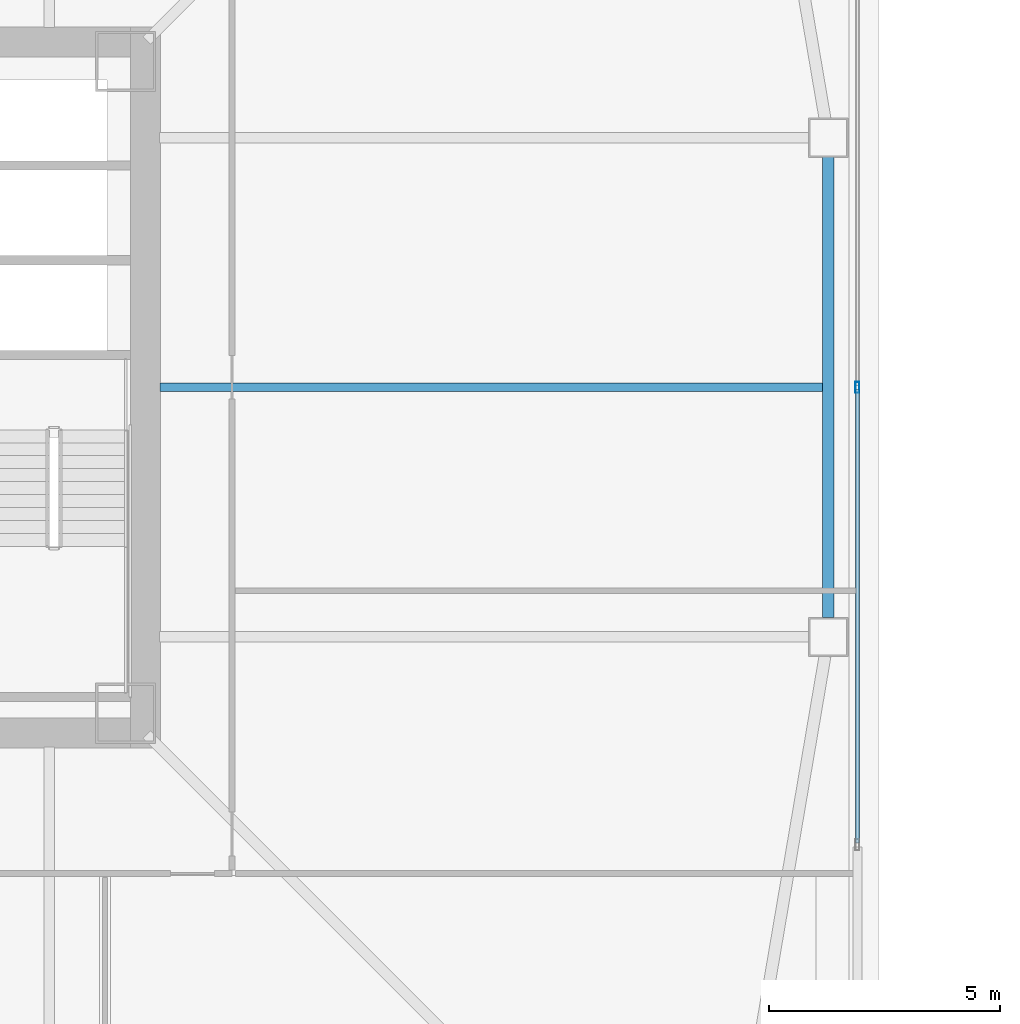
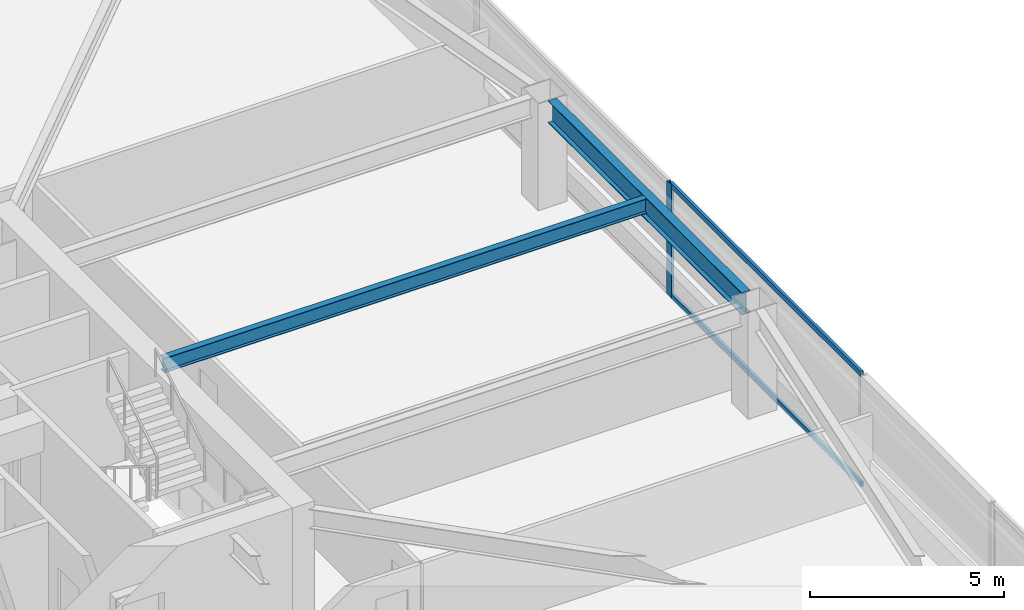
# One storey, part 11 of 51: 3 members, 2 beams, 1 element without a shape of its own.
"""IFC4 building model written with IfcOpenShell, lengths in metres."""

import ifcopenshell
import ifcopenshell.guid

model = None  # the IFC model being written
_history = None  # IfcOwnerHistory: only IFC2X3 demands one
_inside = {}  # id of a spatial element -> (the spatial element, [elements in it])
_under = {}  # id of a project, library or spatial element -> (it, [spatial elements below it])
_declared = {}  # id of a project -> (the project, [libraries it declares])
_typed = {}  # id of a type object -> (the type object, [elements of that type])
_made_of = {}  # id of a material, layer set ... -> (it, [elements and type objects made of it])


def new_model(schema):
    """Start an empty IFC model of exactly this schema.

    Asked for "IFC4X3", IfcOpenShell would pick the latest addendum, in which some entities
    have other attributes; the version numbers below select the first issue.
    IFC2X3 requires an IfcOwnerHistory on every rooted entity: one is made here for all.
    """
    global model, _history
    if schema == "IFC4X3":
        model = ifcopenshell.file(schema_version=(4, 3, 0, 0))
    else:
        model = ifcopenshell.file(schema=schema)
    _inside.clear()
    _under.clear()
    _declared.clear()
    _typed.clear()
    _made_of.clear()
    _history = None
    if model.schema == "IFC2X3":
        org = make("IfcOrganization", Name="unknown")
        user = make(
            "IfcPersonAndOrganization",
            ThePerson=make("IfcPerson", FamilyName="unknown"),
            TheOrganization=org,
        )
        app = make(
            "IfcApplication",
            ApplicationDeveloper=org,
            Version="unknown",
            ApplicationFullName="unknown",
            ApplicationIdentifier="unknown",
        )
        _history = make(
            "IfcOwnerHistory",
            OwningUser=user,
            OwningApplication=app,
            ChangeAction="ADDED",
            CreationDate=0,
        )
    return model


def make(cls, **values):
    """One entity of the class cls with the attributes given. An attribute that is None is left unset."""
    return model.create_entity(
        cls, **{name: value for name, value in values.items() if value is not None}
    )


def rooted(cls, **values):
    """An entity with a GlobalId (a new one), such as an element, a storey or a relation."""
    return make(cls, GlobalId=ifcopenshell.guid.new(), OwnerHistory=_history, **values)


def si_unit(unit_type, name, prefix=None):
    """IfcSIUnit, for example si_unit("LENGTHUNIT", "METRE", prefix="MILLI")."""
    return make("IfcSIUnit", UnitType=unit_type, Prefix=prefix, Name=name)


def assignment(units):
    """IfcUnitAssignment: the units of a project."""
    return None if units is None else make("IfcUnitAssignment", Units=units)


def point(xyz):
    """IfcCartesianPoint."""
    return None if xyz is None else make("IfcCartesianPoint", Coordinates=xyz)


def direction(xyz):
    """IfcDirection."""
    return None if xyz is None else make("IfcDirection", DirectionRatios=xyz)


def frame(location, z_axis=None, x_axis=None):
    """IfcAxis2Placement3D, a coordinate frame: its origin and axes. An axis left out is left unset."""
    return make(
        "IfcAxis2Placement3D",
        Location=point(location),
        Axis=direction(z_axis),
        RefDirection=direction(x_axis),
    )


def frame_2d(location, x_axis=None):
    """IfcAxis2Placement2D, a coordinate frame in the plane: its origin and x axis."""
    return make(
        "IfcAxis2Placement2D", Location=point(location), RefDirection=direction(x_axis)
    )


def origin():
    """The frame at (0, 0, 0) with its axes left unset."""
    return frame((0.0, 0.0, 0.0))


def origin_2d():
    """The frame at (0, 0) in the plane with its x axis left unset."""
    return frame_2d((0.0, 0.0))


def place(relative_to, where):
    """IfcLocalPlacement: puts the frame where relative to a parent placement (None: the world)."""
    return make(
        "IfcLocalPlacement", PlacementRelTo=relative_to, RelativePlacement=where
    )


def context(
    kind, dimensions, precision=None, world=None, true_north=None, identifier=None
):
    """IfcGeometricRepresentationContext, for example the 3D "Model" context."""
    return make(
        "IfcGeometricRepresentationContext",
        ContextIdentifier=identifier,
        ContextType=kind,
        CoordinateSpaceDimension=dimensions,
        Precision=precision,
        WorldCoordinateSystem=world,
        TrueNorth=true_north,
    )


def subcontext(parent, identifier, kind, view, scale=None):
    """IfcGeometricRepresentationSubContext, for example "Body" below "Model"."""
    return make(
        "IfcGeometricRepresentationSubContext",
        ContextIdentifier=identifier,
        ContextType=kind,
        ParentContext=parent,
        TargetScale=scale,
        TargetView=view,
    )


def project(units=None, contexts=None):
    """IfcProject with its units and contexts."""
    return rooted(
        "IfcProject",
        Name="project",
        RepresentationContexts=contexts,
        UnitsInContext=assignment(units),
    )


def spatial(cls, under=None, at=None, **own):
    """A site, building, storey or space (cls), placed at a placement, below another one or the project."""
    s = rooted(cls, ObjectPlacement=at, **own)
    if under is not None:
        _under.setdefault(under.id(), (under, []))[1].append(s)
    return s


def profile(cls, at=None, kind="AREA", **sizes):
    """A parametric profile (cls). Its sizes go by their IFC names, for example OverallWidth=200.0."""
    return make(cls, ProfileType=kind, Position=at, **sizes)


def hollow_rectangle(**sizes):
    """IfcRectangleHollowProfileDef."""
    return profile("IfcRectangleHollowProfileDef", **sizes)


def i_section(**sizes):
    """IfcIShapeProfileDef."""
    return profile("IfcIShapeProfileDef", **sizes)


def extrude(swept, where, along, depth):
    """IfcExtrudedAreaSolid: the profile swept, set in the frame where, extruded along a direction by depth."""
    return make(
        "IfcExtrudedAreaSolid",
        SweptArea=swept,
        Position=where,
        ExtrudedDirection=direction(along),
        Depth=depth,
    )


def shape(context_of_items, identifier, shape_type, items):
    """IfcShapeRepresentation: the items that make up one representation, for example the "Body"."""
    return make(
        "IfcShapeRepresentation",
        ContextOfItems=context_of_items,
        RepresentationIdentifier=identifier,
        RepresentationType=shape_type,
        Items=items,
    )


def material(Name=None, Category=None):
    """IfcMaterial."""
    return make("IfcMaterial", Name=Name, Category=Category)


def material_profile(
    of_material, cross_section, Name=None, Category=None, Priority=None
):
    """IfcMaterialProfile: a cross section and its material."""
    return make(
        "IfcMaterialProfile",
        Name=Name,
        Material=of_material,
        Profile=cross_section,
        Priority=Priority,
        Category=Category,
    )


def profile_set(profiles, Name=None, composite=None):
    """IfcMaterialProfileSet."""
    return make(
        "IfcMaterialProfileSet",
        Name=Name,
        MaterialProfiles=profiles,
        CompositeProfile=composite,
    )


def made_of(thing, what):
    """Note that an element or type object is made of a material, layer set ...; save() writes the relation."""
    if what is not None:
        _made_of.setdefault(what.id(), (what, []))[1].append(thing)
    return thing


def type_object(cls, material=None, **own):
    """A type object (cls), such as IfcWallType, which elements share."""
    return made_of(rooted(cls, **own), material)


def element(
    cls,
    number,
    at=None,
    inside=None,
    cuts=None,
    type_object=None,
    material=None,
    context=None,
    identifier="Body",
    shape_type=None,
    held_by="IfcProductDefinitionShape",
    body=None,
    shapes=None,
    **own,
):
    """One element of the class cls, such as IfcWall. Its Tag is "e" and its number.

    at: its placement. inside: the storey or other place that contains it. cuts: it is an
    opening in that element (IfcRelVoidsElement). A single representation is given by context,
    identifier, shape_type and body (its items); several are given by shapes. held_by: the class
    of the entity that holds the representations. save() writes the other relations.
    """
    e = rooted(cls, Tag="e%d" % number, ObjectPlacement=at, **own)
    if body is not None:
        shapes = [shape(context, identifier, shape_type, body)]
    if shapes is not None:
        e.Representation = make(held_by, Representations=shapes)
    if inside is not None:
        _inside.setdefault(inside.id(), (inside, []))[1].append(e)
    if cuts is not None:
        rooted(
            "IfcRelVoidsElement", RelatingBuildingElement=cuts, RelatedOpeningElement=e
        )
    if type_object is not None:
        _typed.setdefault(type_object.id(), (type_object, []))[1].append(e)
    return made_of(e, material)


def aggregate(whole, parts):
    """IfcRelAggregates: a whole, such as a stair, and the parts it consists of."""
    return rooted("IfcRelAggregates", RelatingObject=whole, RelatedObjects=parts)


def save(model, path):
    """Write the relations noted so far, then the file.

    IfcRelAggregates (storeys below a building ...), IfcRelContainedInSpatialStructure (elements
    in a storey), IfcRelDefinesByType, IfcRelAssociatesMaterial and IfcRelDeclares: one each for
    every whole, place, type object, material and project.
    """
    for whole, parts in _under.values():
        aggregate(whole, parts)
    for where, things in _inside.values():
        rooted(
            "IfcRelContainedInSpatialStructure",
            RelatedElements=things,
            RelatingStructure=where,
        )
    for kind, things in _typed.values():
        rooted("IfcRelDefinesByType", RelatedObjects=things, RelatingType=kind)
    for what, things in _made_of.values():
        rooted("IfcRelAssociatesMaterial", RelatedObjects=things, RelatingMaterial=what)
    for by, libraries in _declared.values():
        rooted("IfcRelDeclares", RelatingContext=by, RelatedDefinitions=libraries)
    model.write(path)


model = new_model("IFC4")

# Units and contexts
model_context = context("Model", 3, precision=1e-05, world=origin(), true_north=direction((0.0, 1.0)))
body_context = subcontext(model_context, "Body", "Model", "MODEL_VIEW")
ifc_project = project(units=[si_unit("LENGTHUNIT", "METRE"), si_unit("AREAUNIT", "SQUARE_METRE"), si_unit("VOLUMEUNIT", "CUBIC_METRE"), si_unit("PLANEANGLEUNIT", "RADIAN"), si_unit("MASSUNIT", "GRAM", prefix="KILO")], contexts=[model_context])

# Site, building, storey
site_placement = place(None, origin())
site = spatial("IfcSite", under=ifc_project, at=site_placement, CompositionType="ELEMENT")
building_placement = place(site_placement, origin())
building = spatial("IfcBuilding", under=site, at=building_placement, Name="Tashvorn Skyway Center", CompositionType="ELEMENT")
storey_placement = place(building_placement, frame((0.0, 0.0, 49.449951171875)))
storey = spatial("IfcBuildingStorey", under=building, at=storey_placement, Name="L12", CompositionType="ELEMENT", Elevation=49.449951171875)

# Beams
ifc_material_1 = material(Name="Steel ASTM A992 Grade 50", Category="steel")
ifc_material_profile_1 = material_profile(ifc_material_1, i_section(OverallWidth=0.19091796875, OverallDepth=0.4599609375, WebThickness=0.010009765625, FlangeThickness=0.01611328125, at=origin_2d()), Name="W18X55")
ifc_profile_set_1 = profile_set([ifc_material_profile_1], Name="Steel ASTM A992 Grade 50")
beam_type_1 = type_object("IfcBeamType", Name="BM-JOIST-W18X55", PredefinedType="JOIST", material=ifc_profile_set_1)
beam_1_placement = place(storey_placement, frame((49.7900390625, 32.0, 3.1201171875), z_axis=(1.0, 0.0, 0.0), x_axis=(0.0, 1.0, 0.0)))
element("IfcBeam", 1, at=beam_1_placement, inside=storey, type_object=beam_type_1, Name="Tower 1 L12 Secondary Composite Joist JE", PredefinedType="JOIST", context=body_context, shape_type="SweptSolid", body=[
    extrude(i_section(OverallWidth=0.19091796875, OverallDepth=0.4599609375, WebThickness=0.010009765625, FlangeThickness=0.01611328125, at=origin_2d()), origin(), (0.0, 0.0, 1.0), 14.33984375),
])
ifc_material_profile_2 = material_profile(ifc_material_1, i_section(OverallWidth=0.256103515625, OverallDepth=0.693115234375, WebThickness=0.014404296875, FlangeThickness=0.023681640625, at=origin_2d()), Name="W27X114")
ifc_profile_set_2 = profile_set([ifc_material_profile_2], Name="Steel ASTM A992 Grade 50")
beam_type_2 = type_object("IfcBeamType", Name="BM-SPANDREL-W27X114", PredefinedType="SPANDREL", material=ifc_profile_set_2)
beam_2_placement = place(storey_placement, frame((64.25, 27.02001953125, 3.003662109375), z_axis=(0.0, 1.0, 0.0), x_axis=(-1.0, 0.0, 0.0)))
element("IfcBeam", 2, at=beam_2_placement, inside=storey, type_object=beam_type_2, Name="Tower 1 L12 Spandrel Beam 05", PredefinedType="SPANDREL", context=body_context, shape_type="SweptSolid", body=[
    extrude(i_section(OverallWidth=0.256103515625, OverallDepth=0.693115234375, WebThickness=0.014404296875, FlangeThickness=0.023681640625, at=origin_2d()), origin(), (0.0, 0.0, 1.0), 9.9599609375),
])

# Curtain wall, members
ifc_material_2 = material(Name="Thermally broken bronze-anodized aluminium 6063-T6", Category="aluminium")
curtain_wall_type = type_object("IfcCurtainWallType", Name="CW-CW-Z1", PredefinedType="NOTDEFINED", material=ifc_material_2)
curtain_wall_placement = place(storey_placement, origin())
curtain_wall = element("IfcCurtainWall", 3, at=curtain_wall_placement, inside=storey, type_object=curtain_wall_type, Name="Tower 1 L12 East Unitised Curtain Wall Glazing Group 2", PredefinedType="NOTDEFINED")
ifc_material_profile_3 = material_profile(ifc_material_2, hollow_rectangle(XDim=0.0849609375, YDim=0.239990234375, WallThickness=0.0048828125, at=origin_2d()), Name="ALU-MULL-85x240")
ifc_profile_set_3 = profile_set([ifc_material_profile_3], Name="Thermally broken bronze-anodized aluminium 6063-T6")
member_type_1 = type_object("IfcMemberType", Name="CWM-CW-Z1", PredefinedType="MULLION", material=ifc_profile_set_3)
member_1_placement = place(storey_placement, frame((64.8798828125, 32.0, 0.0), z_axis=(0.0, 0.0, 1.0), x_axis=(1.0, 0.0, 0.0)))
member_1 = element("IfcMember", 4, at=member_1_placement, type_object=member_type_1, Name="CW-Z1 mullion 2", PredefinedType="MULLION", context=body_context, shape_type="SweptSolid", body=[
    extrude(hollow_rectangle(XDim=0.0849609375, YDim=0.239990234375, WallThickness=0.0048828125, at=origin_2d()), origin(), (0.0, 0.0, 1.0), 3.550048828125),
])
ifc_material_profile_4 = material_profile(ifc_material_2, hollow_rectangle(XDim=0.0849609375, YDim=0.1650390625, WallThickness=0.0048828125, at=origin_2d()), Name="ALU-TRAN-85x165")
ifc_profile_set_4 = profile_set([ifc_material_profile_4], Name="Thermally broken bronze-anodized aluminium 6063-T6")
member_type_2 = type_object("IfcMemberType", Name="CWT-CW-Z1", PredefinedType="USERDEFINED", material=ifc_profile_set_4)
member_2_placement = place(storey_placement, frame((64.8798828125, 31.95751953125, 0.04248046875), z_axis=(0.0, -1.0, 0.0), x_axis=(1.0, 0.0, 0.0)))
member_2 = element("IfcMember", 5, at=member_2_placement, type_object=member_type_2, Name="CW-Z1 transom 2.1", ObjectType="TRANSOM", PredefinedType="USERDEFINED", context=body_context, shape_type="SweptSolid", body=[
    extrude(hollow_rectangle(XDim=0.0849609375, YDim=0.1650390625, WallThickness=0.0048828125, at=origin_2d()), origin(), (0.0, 0.0, 1.0), 9.8125),
])
member_3_placement = place(storey_placement, frame((64.8798828125, 31.95751953125, 3.507568359375), z_axis=(0.0, -1.0, 0.0), x_axis=(1.0, 0.0, 0.0)))
member_3 = element("IfcMember", 6, at=member_3_placement, type_object=member_type_2, Name="CW-Z1 transom 2.2", ObjectType="TRANSOM", PredefinedType="USERDEFINED", context=body_context, shape_type="SweptSolid", body=[
    extrude(hollow_rectangle(XDim=0.0849609375, YDim=0.1650390625, WallThickness=0.0048828125, at=origin_2d()), origin(), (0.0, 0.0, 1.0), 9.8125),
])
aggregate(curtain_wall, [member_1, member_2, member_3])

save(model, "model.ifc")
